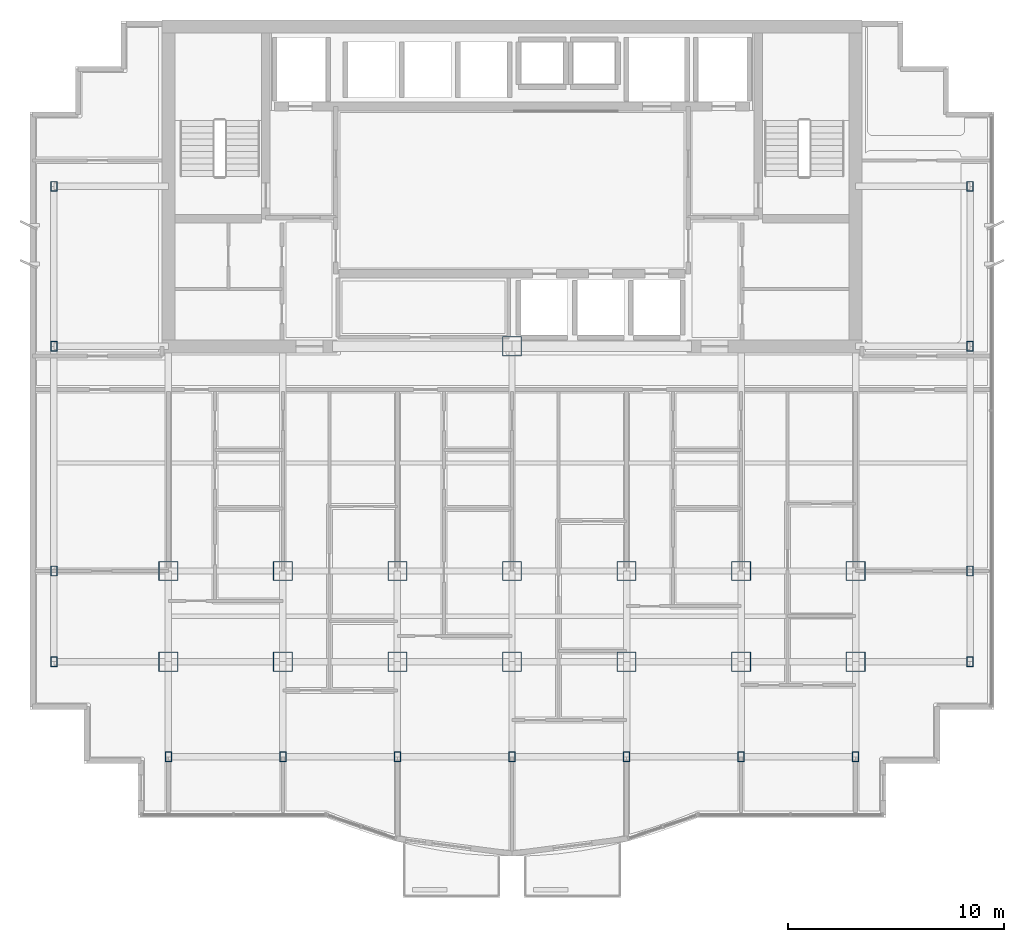
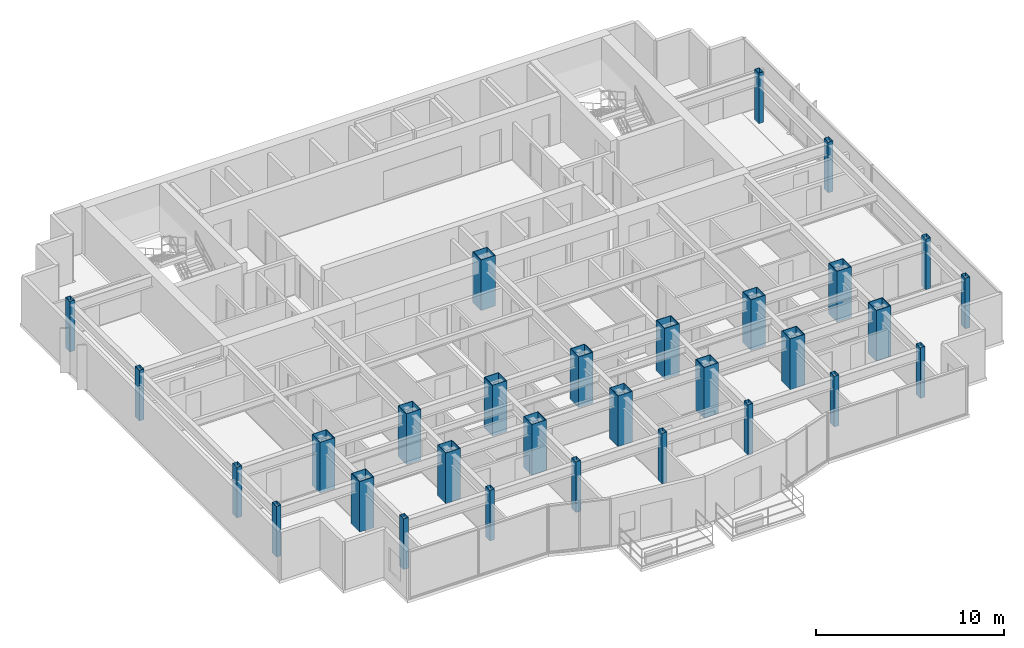
# One storey, part 1 of 13: 30 columns.
"""IFC4 building model written with IfcOpenShell, lengths in metres."""

from ifc_helpers import new_model, si_unit, direction, frame, origin, origin_2d, place, context, subcontext, project, spatial, hollow_rectangle, extrude, material, material_profile, profile_set, type_object, element, save


model = new_model("IFC4")

# Units and contexts
model_context = context("Model", 3, precision=1e-05, world=origin(), true_north=direction((0.0, 1.0)))
body_context = subcontext(model_context, "Body", "Model", "MODEL_VIEW")
ifc_project = project(units=[si_unit("LENGTHUNIT", "METRE"), si_unit("AREAUNIT", "SQUARE_METRE"), si_unit("VOLUMEUNIT", "CUBIC_METRE"), si_unit("PLANEANGLEUNIT", "RADIAN"), si_unit("MASSUNIT", "GRAM", prefix="KILO")], contexts=[model_context])

# Site, building, storey
site_placement = place(None, origin())
site = spatial("IfcSite", under=ifc_project, at=site_placement, CompositionType="ELEMENT")
building_placement = place(site_placement, origin())
building = spatial("IfcBuilding", under=site, at=building_placement, Name="Qianlan Lanfeng Residences", CompositionType="ELEMENT")
storey_placement = place(building_placement, frame((0.0, 0.0, 159.0)))
storey = spatial("IfcBuildingStorey", under=building, at=storey_placement, Name="L43", CompositionType="ELEMENT", Elevation=159.0)

# Columns
ifc_material = material(Name="Steel SN490B", Category="steel")
ifc_material_profile_1 = material_profile(ifc_material, hollow_rectangle(XDim=0.89990234375, YDim=0.89990234375, WallThickness=0.031982421875, at=origin_2d()), Name="BOX 900x900x32")
ifc_profile_set_1 = profile_set([ifc_material_profile_1], Name="Steel SN490B")
column_type_1 = type_object("IfcColumnType", Name="C-B1000", PredefinedType="COLUMN", material=ifc_profile_set_1)
for number, where, z_axis, x_axis, name in (
    (1, (26.5, 25.199951171875, 0.0), (0.0, 0.0, 1.0), (1.0, 0.0, 0.0), "L43 Structural Column CP_26.5_25.2"),
    (2, (10.60009765625, 14.800048828125, 0.0), (0.0, 0.0, 1.0), (1.0, 0.0, 0.0), "L43 Structural Column M_10.60_14.80"),
    (3, (10.60009765625, 10.60009765625, 0.0), (0.0, 0.0, 1.0), (1.0, 0.0, 0.0), "L43 Structural Column G_10.60_10.60"),
    (4, (15.89990234375, 14.800048828125, 0.0), (0.0, 0.0, 1.0), (1.0, 0.0, 0.0), "L43 Structural Column M_15.90_14.80"),
    (5, (15.89990234375, 10.60009765625, 0.0), (0.0, 0.0, 1.0), (1.0, 0.0, 0.0), "L43 Structural Column G_15.90_10.60"),
    (6, (21.199951171875, 14.800048828125, 0.0), (0.0, 0.0, 1.0), (1.0, 0.0, 0.0), "L43 Structural Column M_21.20_14.80"),
    (7, (21.199951171875, 10.60009765625, 0.0), (0.0, 0.0, 1.0), (1.0, 0.0, 0.0), "L43 Structural Column G_21.20_10.60"),
    (8, (26.5, 14.800048828125, 0.0), (0.0, 0.0, 1.0), (1.0, 0.0, 0.0), "L43 Structural Column M_26.50_14.80"),
    (9, (26.5, 10.60009765625, 0.0), (0.0, 0.0, 1.0), (1.0, 0.0, 0.0), "L43 Structural Column G_26.50_10.60"),
    (10, (31.800048828125, 14.800048828125, 0.0), (0.0, 0.0, 1.0), (1.0, 0.0, 0.0), "L43 Structural Column M_31.80_14.80"),
    (11, (31.800048828125, 10.60009765625, 0.0), (0.0, 0.0, 1.0), (1.0, 0.0, 0.0), "L43 Structural Column G_31.80_10.60"),
    (12, (37.10009765625, 14.800048828125, 0.0), (0.0, 0.0, 1.0), (1.0, 0.0, 0.0), "L43 Structural Column M_37.10_14.80"),
    (13, (37.10009765625, 10.60009765625, 0.0), (0.0, 0.0, 1.0), (1.0, 0.0, 0.0), "L43 Structural Column G_37.10_10.60"),
    (14, (42.39990234375, 14.800048828125, 0.0), (0.0, 0.0, 1.0), (1.0, 0.0, 0.0), "L43 Structural Column M_42.40_14.80"),
    (15, (42.39990234375, 10.60009765625, 0.0), (0.0, 0.0, 1.0), (1.0, 0.0, 0.0), "L43 Structural Column G_42.40_10.60"),
):
    element("IfcColumn", number, at=place(storey_placement, frame(where, z_axis=z_axis, x_axis=x_axis)), inside=storey, type_object=column_type_1, Name=name, PredefinedType="COLUMN", context=body_context, shape_type="SweptSolid", body=[
        extrude(hollow_rectangle(XDim=0.89990234375, YDim=0.89990234375, WallThickness=0.031982421875, at=origin_2d()), origin(), (0.0, 0.0, 1.0), 3.300048828125),
    ])
ifc_material_profile_2 = material_profile(ifc_material, hollow_rectangle(XDim=0.300048828125, YDim=0.449951171875, WallThickness=0.01611328125, at=origin_2d()), Name="RHS 450x300x16")
ifc_profile_set_2 = profile_set([ifc_material_profile_2], Name="Steel SN490B")
column_type_2 = type_object("IfcColumnType", Name="CE-B950", PredefinedType="COLUMN", material=ifc_profile_set_2)
for number, where, z_axis, x_axis, name in (
    (16, (10.60009765625, 6.199951171875, 0.0), (0.0, 0.0, 1.0), (1.0, 0.0, 0.0), "L43 Structural Column S_10.60_6.20"),
    (17, (15.89990234375, 6.199951171875, 0.0), (0.0, 0.0, 1.0), (1.0, 0.0, 0.0), "L43 Structural Column S_15.90_6.20"),
    (18, (21.199951171875, 6.199951171875, 0.0), (0.0, 0.0, 1.0), (1.0, 0.0, 0.0), "L43 Structural Column S_21.20_6.20"),
    (19, (26.5, 6.199951171875, 0.0), (0.0, 0.0, 1.0), (1.0, 0.0, 0.0), "L43 Structural Column S_26.50_6.20"),
    (20, (31.800048828125, 6.199951171875, 0.0), (0.0, 0.0, 1.0), (1.0, 0.0, 0.0), "L43 Structural Column S_31.80_6.20"),
    (21, (37.10009765625, 6.199951171875, 0.0), (0.0, 0.0, 1.0), (1.0, 0.0, 0.0), "L43 Structural Column S_37.10_6.20"),
    (22, (42.39990234375, 6.199951171875, 0.0), (0.0, 0.0, 1.0), (1.0, 0.0, 0.0), "L43 Structural Column S_42.40_6.20"),
    (23, (5.300048828125, 10.60009765625, 0.0), (0.0, 0.0, 1.0), (1.0, 0.0, 0.0), "L43 Structural Column W_5.30_10.60"),
    (24, (5.300048828125, 14.800048828125, 0.0), (0.0, 0.0, 1.0), (1.0, 0.0, 0.0), "L43 Structural Column W_5.30_14.80"),
    (25, (5.300048828125, 25.199951171875, 0.0), (0.0, 0.0, 1.0), (1.0, 0.0, 0.0), "L43 Structural Column W_5.30_25.20"),
    (26, (5.300048828125, 32.60009765625, 0.0), (0.0, 0.0, 1.0), (1.0, 0.0, 0.0), "L43 Structural Column W_5.30_32.60"),
    (27, (47.699951171875, 10.60009765625, 0.0), (0.0, 0.0, 1.0), (1.0, 0.0, 0.0), "L43 Structural Column W_47.70_10.60"),
    (28, (47.699951171875, 14.800048828125, 0.0), (0.0, 0.0, 1.0), (1.0, 0.0, 0.0), "L43 Structural Column W_47.70_14.80"),
    (29, (47.699951171875, 25.199951171875, 0.0), (0.0, 0.0, 1.0), (1.0, 0.0, 0.0), "L43 Structural Column W_47.70_25.20"),
    (30, (47.699951171875, 32.60009765625, 0.0), (0.0, 0.0, 1.0), (1.0, 0.0, 0.0), "L43 Structural Column W_47.70_32.60"),
):
    element("IfcColumn", number, at=place(storey_placement, frame(where, z_axis=z_axis, x_axis=x_axis)), inside=storey, type_object=column_type_2, Name=name, PredefinedType="COLUMN", context=body_context, shape_type="SweptSolid", body=[
        extrude(hollow_rectangle(XDim=0.300048828125, YDim=0.449951171875, WallThickness=0.01611328125, at=origin_2d()), origin(), (0.0, 0.0, 1.0), 3.300048828125),
    ])

save(model, "model.ifc")
